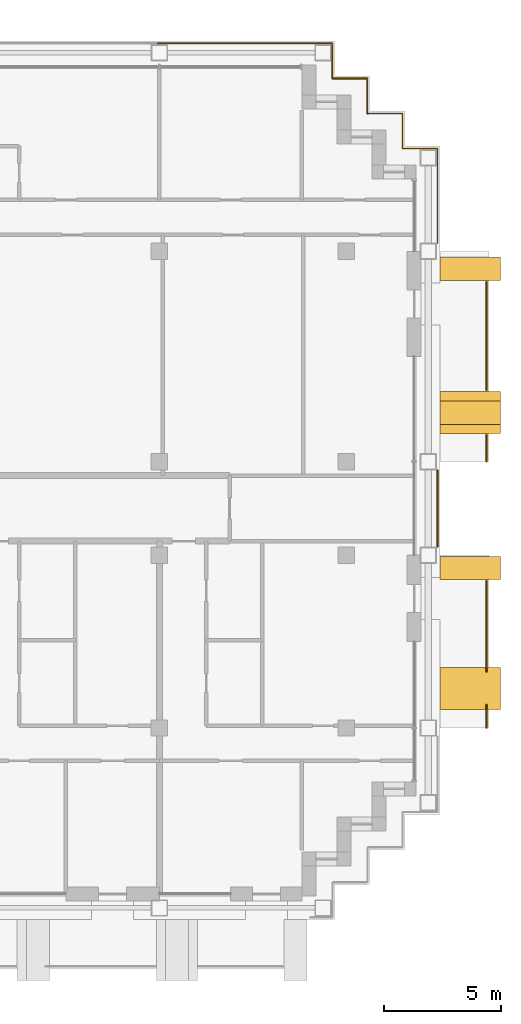
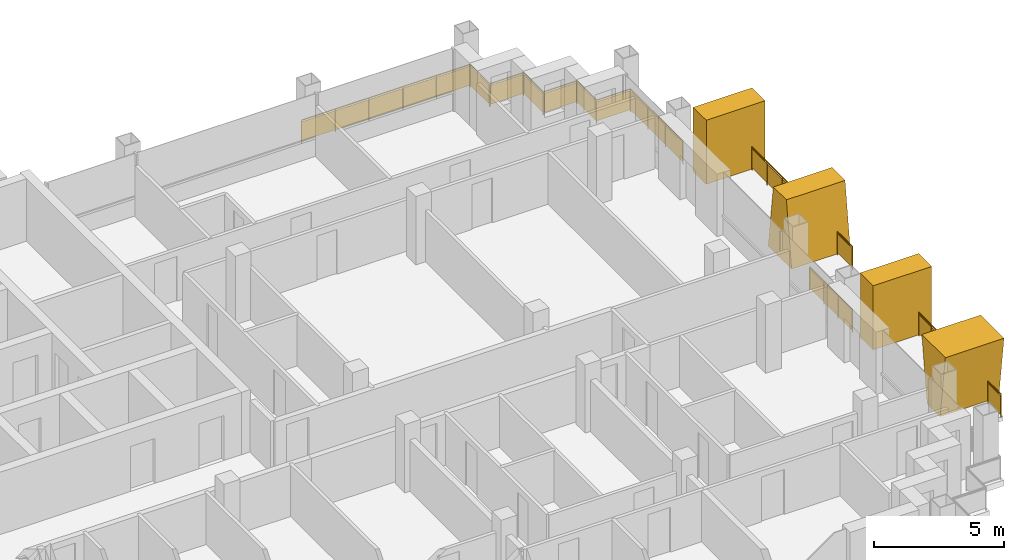
# One storey, part 16 of 16: 7 railings, 4 shading devices.
"""IFC4 building model written with IfcOpenShell, lengths in metres."""

from ifc_helpers import new_model, si_unit, direction, frame, origin, origin_2d, place, context, subcontext, project, spatial, polyline, rectangle, circle, outline, extrude, material, layer, layer_set, type_object, element, save


model = new_model("IFC4")

# Units and contexts
model_context = context("Model", 3, precision=1e-05, world=origin(), true_north=direction((0.0, 1.0)))
body_context = subcontext(model_context, "Body", "Model", "MODEL_VIEW")
ifc_project = project(units=[si_unit("LENGTHUNIT", "METRE"), si_unit("AREAUNIT", "SQUARE_METRE"), si_unit("VOLUMEUNIT", "CUBIC_METRE"), si_unit("PLANEANGLEUNIT", "RADIAN"), si_unit("MASSUNIT", "GRAM", prefix="KILO")], contexts=[model_context])

# Site, building, storey
site_placement = place(None, origin())
site = spatial("IfcSite", under=ifc_project, at=site_placement, CompositionType="ELEMENT")
building_placement = place(site_placement, origin())
building = spatial("IfcBuilding", under=site, at=building_placement, Name="Vidyagriha Tower", CompositionType="ELEMENT")
storey_placement = place(building_placement, frame((0.0, 0.0, 174.89990234375)))
storey = spatial("IfcBuildingStorey", under=building, at=storey_placement, Name="L45", CompositionType="ELEMENT", Elevation=174.89990234375)

# Railings
ifc_material_1 = material(Name="Steel ASTM A500 Grade C black painted", Category="steel")
railing_type_1 = type_object("IfcRailingType", Name="Balcony guard 1100", PredefinedType="BALUSTRADE", material=ifc_material_1)
railing_1_placement = place(storey_placement, frame((40.0, -9.39990234375, 0.0)))
element("IfcRailing", 1, at=railing_1_placement, inside=storey, type_object=railing_type_1, Name="Balcony guard L45 R30.1-1", PredefinedType="BALUSTRADE", context=body_context, shape_type="SweptSolid", body=[
    extrude(circle(Radius=0.02490234375, at=origin_2d()), frame((0.0, 0.0, 1.0751953125), z_axis=(0.0, 1.0, 0.0), x_axis=(-1.0, 0.0, 0.0)), (0.0, 0.0, 1.0), 0.99658203125),
    extrude(circle(Radius=0.02001953125, at=origin_2d()), origin(), (0.0, 0.0, 1.0), 1.050048828125),
    extrude(circle(Radius=0.02001953125, at=origin_2d()), frame((0.0, 0.99658203125, 0.0)), (0.0, 0.0, 1.0), 1.050048828125),
    extrude(rectangle(XDim=0.010009765625, YDim=0.900146484375, at=origin_2d()), frame((0.0, 0.0, 0.550048828125), z_axis=(0.0, 1.0, 0.0), x_axis=(-1.0, 0.0, 0.0)), (0.0, 0.0, 1.0), 0.99658203125),
])
railing_2_placement = place(storey_placement, frame((40.0, -6.99658203125, 0.0)))
element("IfcRailing", 2, at=railing_2_placement, inside=storey, type_object=railing_type_1, Name="Balcony guard L45 R30.1-2", PredefinedType="BALUSTRADE", context=body_context, shape_type="SweptSolid", body=[
    extrude(circle(Radius=0.02490234375, at=origin_2d()), frame((0.0, 0.0, 1.0751953125), z_axis=(0.0, 1.0, 0.0), x_axis=(-1.0, 0.0, 0.0)), (0.0, 0.0, 1.0), 3.896484375),
    extrude(circle(Radius=0.02001953125, at=origin_2d()), origin(), (0.0, 0.0, 1.0), 1.050048828125),
    extrude(circle(Radius=0.02001953125, at=origin_2d()), frame((0.0, 0.97412109375, 0.0)), (0.0, 0.0, 1.0), 1.050048828125),
    extrude(circle(Radius=0.02001953125, at=origin_2d()), frame((0.0, 1.9482421875, 0.0)), (0.0, 0.0, 1.0), 1.050048828125),
    extrude(circle(Radius=0.02001953125, at=origin_2d()), frame((0.0, 2.92236328125, 0.0)), (0.0, 0.0, 1.0), 1.050048828125),
    extrude(circle(Radius=0.02001953125, at=origin_2d()), frame((0.0, 3.896484375, 0.0)), (0.0, 0.0, 1.0), 1.050048828125),
    extrude(rectangle(XDim=0.010009765625, YDim=0.900146484375, at=origin_2d()), frame((0.0, 0.0, 0.550048828125), z_axis=(0.0, 1.0, 0.0), x_axis=(-1.0, 0.0, 0.0)), (0.0, 0.0, 1.0), 3.896484375),
])
railing_3_placement = place(storey_placement, frame((40.0, 2.0, 0.0)))
element("IfcRailing", 3, at=railing_3_placement, inside=storey, type_object=railing_type_1, Name="Balcony guard L45 R30.2-1", PredefinedType="BALUSTRADE", context=body_context, shape_type="SweptSolid", body=[
    extrude(circle(Radius=0.02490234375, at=origin_2d()), frame((0.0, 0.0, 1.0751953125), z_axis=(0.0, 1.0, 0.0), x_axis=(-1.0, 0.0, 0.0)), (0.0, 0.0, 1.0), 1.14990234375),
    extrude(circle(Radius=0.02001953125, at=origin_2d()), origin(), (0.0, 0.0, 1.0), 1.050048828125),
    extrude(circle(Radius=0.02001953125, at=origin_2d()), frame((0.0, 1.14990234375, 0.0)), (0.0, 0.0, 1.0), 1.050048828125),
    extrude(rectangle(XDim=0.010009765625, YDim=0.900146484375, at=origin_2d()), frame((0.0, 0.0, 0.550048828125), z_axis=(0.0, 1.0, 0.0), x_axis=(-1.0, 0.0, 0.0)), (0.0, 0.0, 1.0), 1.14990234375),
])
railing_4_placement = place(storey_placement, frame((40.0, 5.050048828125, 0.0)))
element("IfcRailing", 4, at=railing_4_placement, inside=storey, type_object=railing_type_1, Name="Balcony guard L45 R30.2-2", PredefinedType="BALUSTRADE", context=body_context, shape_type="SweptSolid", body=[
    extrude(circle(Radius=0.02490234375, at=origin_2d()), frame((0.0, 0.0, 1.0751953125), z_axis=(0.0, 1.0, 0.0), x_axis=(-1.0, 0.0, 0.0)), (0.0, 0.0, 1.0), 4.64990234375),
    extrude(circle(Radius=0.02001953125, at=origin_2d()), origin(), (0.0, 0.0, 1.0), 1.050048828125),
    extrude(circle(Radius=0.02001953125, at=origin_2d()), frame((0.0, 1.16259765625, 0.0)), (0.0, 0.0, 1.0), 1.050048828125),
    extrude(circle(Radius=0.02001953125, at=origin_2d()), frame((0.0, 2.324951171875, 0.0)), (0.0, 0.0, 1.0), 1.050048828125),
    extrude(circle(Radius=0.02001953125, at=origin_2d()), frame((0.0, 3.4873046875, 0.0)), (0.0, 0.0, 1.0), 1.050048828125),
    extrude(circle(Radius=0.02001953125, at=origin_2d()), frame((0.0, 4.64990234375, 0.0)), (0.0, 0.0, 1.0), 1.050048828125),
    extrude(rectangle(XDim=0.010009765625, YDim=0.900146484375, at=origin_2d()), frame((0.0, 0.0, 0.550048828125), z_axis=(0.0, 1.0, 0.0), x_axis=(-1.0, 0.0, 0.0)), (0.0, 0.0, 1.0), 4.64990234375),
])

# Shading devices
ifc_material_2 = material(Name="Precast concrete C40/50 with buff brick facing", Category="concrete")
ifc_layer_1 = layer(ifc_material_2, 1.0)
ifc_layer_set_1 = layer_set([ifc_layer_1], Name="Precast concrete C40/50 with buff brick facing")
shading_device_type_1 = type_object("IfcShadingDeviceType", Name="Brick-faced blade fin forking 8 degrees", PredefinedType="USERDEFINED", material=ifc_layer_set_1)
shading_device_1_placement = place(storey_placement, frame((39.300048828125, -8.60009765625, 0.0), z_axis=(0.0, 0.0, 1.0), x_axis=(0.0, 1.0, 0.0)))
element("IfcShadingDevice", 5, at=shading_device_1_placement, inside=storey, type_object=shading_device_type_1, Name="Forked blade fin L45 R30.230a", ObjectType="BLADE FIN", PredefinedType="USERDEFINED", context=body_context, shape_type="SweptSolid", body=[
    extrude(outline(polyline([(0.39990234375, 0.0), (1.39990234375, 0.0), (1.800048828125, 3.0), (0.0, 3.0), (0.39990234375, 0.0)])), frame((0.0, 1.300048828125, 0.0), z_axis=(0.0, -1.0, 0.0), x_axis=(1.0, 0.0, 0.0)), (0.0, 0.0, 1.0), 2.60009765625),
])
shading_device_2_placement = place(storey_placement, frame((39.300048828125, 3.199951171875, 0.0), z_axis=(0.0, 0.0, 1.0), x_axis=(0.0, 1.0, 0.0)))
element("IfcShadingDevice", 6, at=shading_device_2_placement, inside=storey, type_object=shading_device_type_1, Name="Forked blade fin L45 R30.1370a", ObjectType="BLADE FIN", PredefinedType="USERDEFINED", context=body_context, shape_type="SweptSolid", body=[
    extrude(outline(polyline([(0.0, 0.0), (1.800048828125, 0.0), (1.39990234375, 3.0), (0.39990234375, 3.0), (0.0, 0.0)])), frame((0.0, 1.300048828125, 0.0), z_axis=(0.0, -1.0, 0.0), x_axis=(1.0, 0.0, 0.0)), (0.0, 0.0, 1.0), 2.60009765625),
])
ifc_material_3 = material(Name="Precast concrete C40/50 with buff brick facing", Category="concrete")
ifc_layer_2 = layer(ifc_material_3, 1.0)
ifc_layer_set_2 = layer_set([ifc_layer_2], Name="Precast concrete C40/50 with buff brick facing")
shading_device_type_2 = type_object("IfcShadingDeviceType", Name="Brick-faced blade fin stem 1000", PredefinedType="USERDEFINED", material=ifc_layer_set_2)
for number, where, z_axis, x_axis, name in (
    (7, (39.300048828125, -3.050048828125, 0.0), (0.0, 0.0, 1.0), (0.0, 1.0, 0.0), "Stem blade fin L45 R30.970a"),
    (8, (39.300048828125, 9.75, 0.0), (0.0, 0.0, 1.0), (0.0, 1.0, 0.0), "Stem blade fin L45 R30.2270a"),
):
    element("IfcShadingDevice", number, at=place(storey_placement, frame(where, z_axis=z_axis, x_axis=x_axis)), inside=storey, type_object=shading_device_type_2, Name=name, ObjectType="BLADE FIN", PredefinedType="USERDEFINED", context=body_context, shape_type="SweptSolid", body=[
        extrude(outline(polyline([(0.0, 0.0), (1.0, 0.0), (1.0, 3.0), (0.0, 3.0), (0.0, 0.0)])), frame((0.0, 1.300048828125, 0.0), z_axis=(0.0, -1.0, 0.0), x_axis=(1.0, 0.0, 0.0)), (0.0, 0.0, 1.0), 2.60009765625),
    ])

# Railings
ifc_material_4 = material(Name="Steel ASTM A500 Grade C black painted", Category="steel")
railing_type_2 = type_object("IfcRailingType", Name="Gallery guard 1100", PredefinedType="GUARDRAIL", material=ifc_material_4)
railing_5_placement = place(storey_placement, frame((25.929931640625, 19.89990234375, 0.0)))
element("IfcRailing", 9, at=railing_5_placement, inside=storey, type_object=railing_type_2, Name="Gallery guard L45 7", PredefinedType="GUARDRAIL", context=body_context, shape_type="SweptSolid", body=[
    extrude(circle(Radius=0.02490234375, at=origin_2d()), frame((0.0, 0.0, 1.0751953125), z_axis=(1.0, 0.0, 0.0), x_axis=(0.0, 1.0, 0.0)), (0.0, 0.0, 1.0), 7.469970703125),
    extrude(circle(Radius=0.02490234375, at=origin_2d()), frame((7.469970703125, 0.0, 1.0751953125), z_axis=(0.0, -1.0, 0.0), x_axis=(1.0, 0.0, 0.0)), (0.0, 0.0, 1.0), 1.5),
    extrude(circle(Radius=0.02490234375, at=origin_2d()), frame((7.469970703125, -1.5, 1.0751953125), z_axis=(1.0, 0.0, 0.0), x_axis=(0.0, 1.0, 0.0)), (0.0, 0.0, 1.0), 1.5),
    extrude(circle(Radius=0.02490234375, at=origin_2d()), frame((8.969970703125, -1.5, 1.0751953125), z_axis=(0.0, -1.0, 0.0), x_axis=(1.0, 0.0, 0.0)), (0.0, 0.0, 1.0), 1.5),
    extrude(circle(Radius=0.02490234375, at=origin_2d()), frame((8.969970703125, -3.0, 1.0751953125), z_axis=(1.0, 0.0, 0.0), x_axis=(0.0, 1.0, 0.0)), (0.0, 0.0, 1.0), 0.030029296875),
    extrude(circle(Radius=0.02001953125, at=origin_2d()), origin(), (0.0, 0.0, 1.0), 1.050048828125),
    extrude(circle(Radius=0.02001953125, at=origin_2d()), frame((1.493896484375, 0.0, 0.0)), (0.0, 0.0, 1.0), 1.050048828125),
    extrude(circle(Radius=0.02001953125, at=origin_2d()), frame((2.988037109375, 0.0, 0.0)), (0.0, 0.0, 1.0), 1.050048828125),
    extrude(circle(Radius=0.02001953125, at=origin_2d()), frame((4.48193359375, 0.0, 0.0)), (0.0, 0.0, 1.0), 1.050048828125),
    extrude(circle(Radius=0.02001953125, at=origin_2d()), frame((5.97607421875, 0.0, 0.0)), (0.0, 0.0, 1.0), 1.050048828125),
    extrude(circle(Radius=0.02001953125, at=origin_2d()), frame((7.469970703125, 0.0, 0.0)), (0.0, 0.0, 1.0), 1.050048828125),
    extrude(circle(Radius=0.02001953125, at=origin_2d()), frame((7.469970703125, -1.5, 0.0)), (0.0, 0.0, 1.0), 1.050048828125),
    extrude(circle(Radius=0.02001953125, at=origin_2d()), frame((8.969970703125, -1.5, 0.0)), (0.0, 0.0, 1.0), 1.050048828125),
    extrude(circle(Radius=0.02001953125, at=origin_2d()), frame((8.969970703125, -3.0, 0.0)), (0.0, 0.0, 1.0), 1.050048828125),
    extrude(circle(Radius=0.02001953125, at=origin_2d()), frame((9.0, -3.0, 0.0)), (0.0, 0.0, 1.0), 1.050048828125),
    extrude(rectangle(XDim=0.010009765625, YDim=0.900146484375, at=origin_2d()), frame((0.0, 0.0, 0.550048828125), z_axis=(1.0, 0.0, 0.0), x_axis=(0.0, 1.0, 0.0)), (0.0, 0.0, 1.0), 7.469970703125),
    extrude(rectangle(XDim=0.010009765625, YDim=0.900146484375, at=origin_2d()), frame((7.469970703125, 0.0, 0.550048828125), z_axis=(0.0, -1.0, 0.0), x_axis=(1.0, 0.0, 0.0)), (0.0, 0.0, 1.0), 1.5),
    extrude(rectangle(XDim=0.010009765625, YDim=0.900146484375, at=origin_2d()), frame((7.469970703125, -1.5, 0.550048828125), z_axis=(1.0, 0.0, 0.0), x_axis=(0.0, 1.0, 0.0)), (0.0, 0.0, 1.0), 1.5),
    extrude(rectangle(XDim=0.010009765625, YDim=0.900146484375, at=origin_2d()), frame((8.969970703125, -1.5, 0.550048828125), z_axis=(0.0, -1.0, 0.0), x_axis=(1.0, 0.0, 0.0)), (0.0, 0.0, 1.0), 1.5),
    extrude(rectangle(XDim=0.010009765625, YDim=0.900146484375, at=origin_2d()), frame((8.969970703125, -3.0, 0.550048828125), z_axis=(1.0, 0.0, 0.0), x_axis=(0.0, 1.0, 0.0)), (0.0, 0.0, 1.0), 0.030029296875),
])
railing_6_placement = place(storey_placement, frame((34.929931640625, 16.89990234375, 0.0)))
element("IfcRailing", 10, at=railing_6_placement, inside=storey, type_object=railing_type_2, Name="Gallery guard L45 8", PredefinedType="GUARDRAIL", context=body_context, shape_type="SweptSolid", body=[
    extrude(circle(Radius=0.02490234375, at=origin_2d()), frame((0.0, 0.0, 1.0751953125), z_axis=(1.0, 0.0, 0.0), x_axis=(0.0, 1.0, 0.0)), (0.0, 0.0, 1.0), 1.469970703125),
    extrude(circle(Radius=0.02490234375, at=origin_2d()), frame((1.469970703125, 0.0, 1.0751953125), z_axis=(0.0, -1.0, 0.0), x_axis=(1.0, 0.0, 0.0)), (0.0, 0.0, 1.0), 1.5),
    extrude(circle(Radius=0.02490234375, at=origin_2d()), frame((1.469970703125, -1.5, 1.0751953125), z_axis=(1.0, 0.0, 0.0), x_axis=(0.0, 1.0, 0.0)), (0.0, 0.0, 1.0), 1.5),
    extrude(circle(Radius=0.02490234375, at=origin_2d()), frame((2.969970703125, -1.5, 1.0751953125), z_axis=(0.0, -1.0, 0.0), x_axis=(1.0, 0.0, 0.0)), (0.0, 0.0, 1.0), 4.039794921875),
    extrude(circle(Radius=0.02001953125, at=origin_2d()), origin(), (0.0, 0.0, 1.0), 1.050048828125),
    extrude(circle(Radius=0.02001953125, at=origin_2d()), frame((1.469970703125, 0.0, 0.0)), (0.0, 0.0, 1.0), 1.050048828125),
    extrude(circle(Radius=0.02001953125, at=origin_2d()), frame((1.469970703125, -1.5, 0.0)), (0.0, 0.0, 1.0), 1.050048828125),
    extrude(circle(Radius=0.02001953125, at=origin_2d()), frame((2.969970703125, -1.5, 0.0)), (0.0, 0.0, 1.0), 1.050048828125),
    extrude(circle(Radius=0.02001953125, at=origin_2d()), frame((2.969970703125, -2.8466796875, 0.0)), (0.0, 0.0, 1.0), 1.050048828125),
    extrude(circle(Radius=0.02001953125, at=origin_2d()), frame((2.969970703125, -4.193115234375, 0.0)), (0.0, 0.0, 1.0), 1.050048828125),
    extrude(circle(Radius=0.02001953125, at=origin_2d()), frame((2.969970703125, -5.539794921875, 0.0)), (0.0, 0.0, 1.0), 1.050048828125),
    extrude(rectangle(XDim=0.010009765625, YDim=0.900146484375, at=origin_2d()), frame((0.0, 0.0, 0.550048828125), z_axis=(1.0, 0.0, 0.0), x_axis=(0.0, 1.0, 0.0)), (0.0, 0.0, 1.0), 1.469970703125),
    extrude(rectangle(XDim=0.010009765625, YDim=0.900146484375, at=origin_2d()), frame((1.469970703125, 0.0, 0.550048828125), z_axis=(0.0, -1.0, 0.0), x_axis=(1.0, 0.0, 0.0)), (0.0, 0.0, 1.0), 1.5),
    extrude(rectangle(XDim=0.010009765625, YDim=0.900146484375, at=origin_2d()), frame((1.469970703125, -1.5, 0.550048828125), z_axis=(1.0, 0.0, 0.0), x_axis=(0.0, 1.0, 0.0)), (0.0, 0.0, 1.0), 1.5),
    extrude(rectangle(XDim=0.010009765625, YDim=0.900146484375, at=origin_2d()), frame((2.969970703125, -1.5, 0.550048828125), z_axis=(0.0, -1.0, 0.0), x_axis=(1.0, 0.0, 0.0)), (0.0, 0.0, 1.0), 4.039794921875),
])
railing_7_placement = place(storey_placement, frame((37.89990234375, 1.639892578125, 0.0)))
element("IfcRailing", 11, at=railing_7_placement, inside=storey, type_object=railing_type_2, Name="Gallery guard L45 11", PredefinedType="GUARDRAIL", context=body_context, shape_type="SweptSolid", body=[
    extrude(circle(Radius=0.02490234375, at=origin_2d()), frame((0.0, 0.0, 1.0751953125), z_axis=(0.0, -1.0, 0.0), x_axis=(1.0, 0.0, 0.0)), (0.0, 0.0, 1.0), 3.27978515625),
    extrude(circle(Radius=0.02001953125, at=origin_2d()), origin(), (0.0, 0.0, 1.0), 1.050048828125),
    extrude(circle(Radius=0.02001953125, at=origin_2d()), frame((0.0, -1.09326171875, 0.0)), (0.0, 0.0, 1.0), 1.050048828125),
    extrude(circle(Radius=0.02001953125, at=origin_2d()), frame((0.0, -2.1865234375, 0.0)), (0.0, 0.0, 1.0), 1.050048828125),
    extrude(circle(Radius=0.02001953125, at=origin_2d()), frame((0.0, -3.27978515625, 0.0)), (0.0, 0.0, 1.0), 1.050048828125),
    extrude(rectangle(XDim=0.010009765625, YDim=0.900146484375, at=origin_2d()), frame((0.0, 0.0, 0.550048828125), z_axis=(0.0, -1.0, 0.0), x_axis=(1.0, 0.0, 0.0)), (0.0, 0.0, 1.0), 3.27978515625),
])

save(model, "model.ifc")
